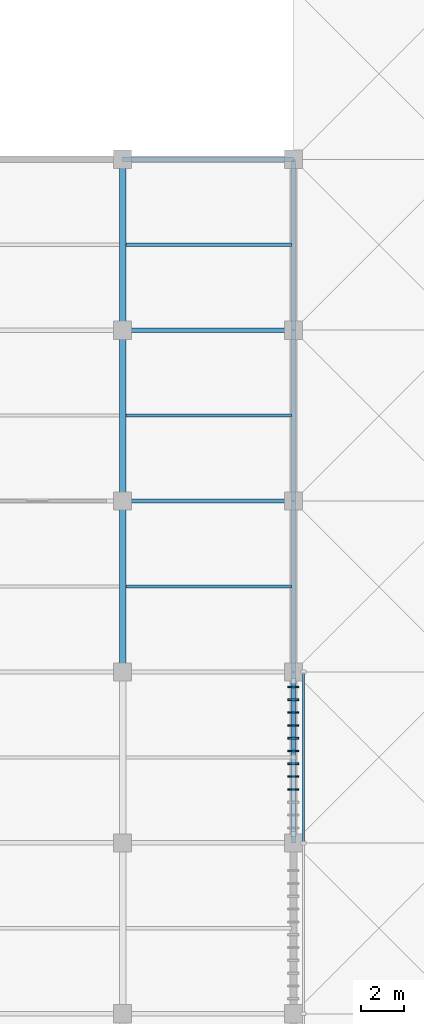
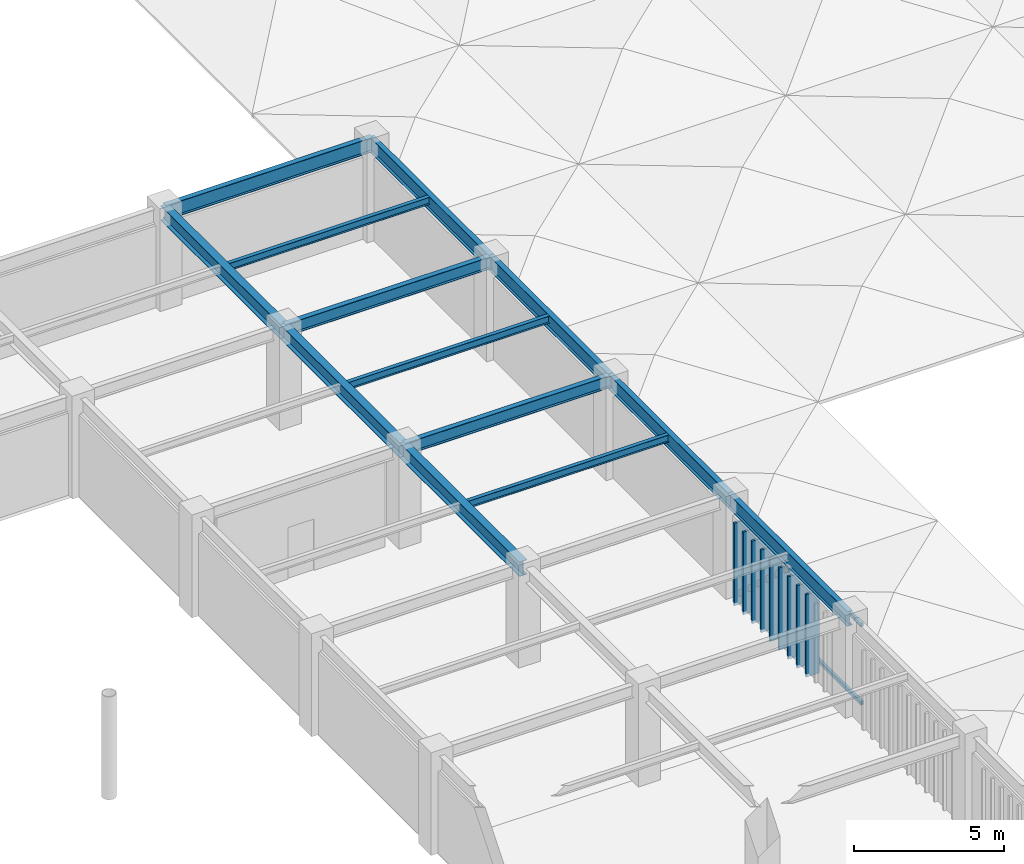
# One storey, part 38 of 78: 13 beams, 12 members.
"""IFC4 building model written with IfcOpenShell, lengths in metres."""

from ifc_helpers import new_model, si_unit, direction, frame, origin, origin_2d, place, context, subcontext, project, spatial, rectangle, hollow_rectangle, i_section, extrude, material, material_profile, profile_set, type_object, element, save


model = new_model("IFC4")

# Units and contexts
model_context = context("Model", 3, precision=1e-05, world=origin(), true_north=direction((0.0, 1.0)))
body_context = subcontext(model_context, "Body", "Model", "MODEL_VIEW")
ifc_project = project(units=[si_unit("LENGTHUNIT", "METRE"), si_unit("AREAUNIT", "SQUARE_METRE"), si_unit("VOLUMEUNIT", "CUBIC_METRE"), si_unit("PLANEANGLEUNIT", "RADIAN"), si_unit("MASSUNIT", "GRAM", prefix="KILO")], contexts=[model_context])

# Site, building, storey
site_placement = place(None, origin())
site = spatial("IfcSite", under=ifc_project, at=site_placement, CompositionType="ELEMENT")
building_placement = place(site_placement, origin())
building = spatial("IfcBuilding", under=site, at=building_placement, Name="Haebicheon Civic Stadium", CompositionType="ELEMENT")
storey_placement = place(building_placement, frame((0.0, 0.0, 18.60009765625)))
storey = spatial("IfcBuildingStorey", under=building, at=storey_placement, Name="L05", CompositionType="ELEMENT", Elevation=18.60009765625)

# Beams
ifc_material_1 = material(Name="Steel SM355 (S355)", Category="steel")
ifc_material_profile_1 = material_profile(ifc_material_1, i_section(OverallWidth=0.199951171875, OverallDepth=0.5, WebThickness=0.010009765625, FlangeThickness=0.01611328125, at=origin_2d()), Name="H-500x200x10x16")
ifc_profile_set_1 = profile_set([ifc_material_profile_1], Name="Steel SM355 (S355)")
beam_type_1 = type_object("IfcBeamType", Name="BM-ST-H500", PredefinedType="BEAM", material=ifc_profile_set_1)
for number, where, z_axis, x_axis, name in (
    (1, (152.0, 144.0, 3.72998046875), (1.0, 0.0, 0.0), (0.0, 1.0, 0.0), "L05 beam U/20-21"),
    (2, (152.0, 152.0, 3.72998046875), (1.0, 0.0, 0.0), (0.0, 1.0, 0.0), "L05 beam V/20-21"),
):
    element("IfcBeam", number, at=place(storey_placement, frame(where, z_axis=z_axis, x_axis=x_axis)), inside=storey, type_object=beam_type_1, material=ifc_profile_set_1, Name=name, PredefinedType="BEAM", context=body_context, shape_type="SweptSolid", body=[
        extrude(i_section(OverallWidth=0.199951171875, OverallDepth=0.5, WebThickness=0.010009765625, FlangeThickness=0.01611328125, at=origin_2d()), origin(), (0.0, 0.0, 1.0), 8.0),
    ])
ifc_material_2 = material(Name="Steel SM355 (S355)", Category="steel")
ifc_material_profile_2 = material_profile(ifc_material_2, i_section(OverallWidth=0.300048828125, OverallDepth=0.60009765625, WebThickness=0.011962890625, FlangeThickness=0.02001953125, at=origin_2d()), Name="H-600x300x12x20")
ifc_profile_set_2 = profile_set([ifc_material_profile_2], Name="Steel SM355 (S355)")
beam_type_2 = type_object("IfcBeamType", Name="BM-ST-H600A", PredefinedType="BEAM", material=ifc_profile_set_2)
for number, where, z_axis, x_axis, name in (
    (3, (152.0, 136.0, 3.679931640625), (0.0, 1.0, 0.0), (-1.0, 0.0, 0.0), "L05 girder 20/T-U"),
    (4, (152.0, 144.0, 3.679931640625), (0.0, 1.0, 0.0), (-1.0, 0.0, 0.0), "L05 girder 20/U-V"),
    (5, (152.0, 152.0, 3.679931640625), (0.0, 1.0, 0.0), (-1.0, 0.0, 0.0), "L05 girder 20/V-W"),
):
    element("IfcBeam", number, at=place(storey_placement, frame(where, z_axis=z_axis, x_axis=x_axis)), inside=storey, type_object=beam_type_2, material=ifc_profile_set_2, Name=name, PredefinedType="BEAM", context=body_context, shape_type="SweptSolid", body=[
        extrude(i_section(OverallWidth=0.300048828125, OverallDepth=0.60009765625, WebThickness=0.011962890625, FlangeThickness=0.02001953125, at=origin_2d()), origin(), (0.0, 0.0, 1.0), 8.0),
    ])

# Member
ifc_material_3 = material(Name="Steel SM355 (S355)", Category="steel")
ifc_material_profile_3 = material_profile(ifc_material_3, hollow_rectangle(XDim=0.199951171875, YDim=0.199951171875, WallThickness=0.009033203125, at=origin_2d()), Name="RHS-200x200x9.0")
ifc_profile_set_3 = profile_set([ifc_material_profile_3], Name="Steel SM355 (S355)")
member_type_1 = type_object("IfcMemberType", Name="BRC-RHS200", PredefinedType="BRACE", material=ifc_profile_set_3)
member_placement = place(storey_placement, frame((160.0, 135.580078125, 0.039794921875), z_axis=(0.0, -0.735278088986, 0.677765543427), x_axis=(1.0, 0.0, 0.0)))
element("IfcMember", 6, at=member_placement, inside=storey, type_object=member_type_1, material=ifc_profile_set_3, Name="BR200 chevron brace L05 19-16 B", PredefinedType="BRACE", context=body_context, shape_type="SweptSolid", body=[
    extrude(hollow_rectangle(XDim=0.199951171875, YDim=0.199951171875, WallThickness=0.009033203125, at=origin_2d()), origin(), (0.0, 0.0, 1.0), 4.868896484375),
])

# Beams
ifc_material_4 = material(Name="Steel SM355 (S355)", Category="steel")
ifc_material_profile_4 = material_profile(ifc_material_4, i_section(OverallWidth=0.14990234375, OverallDepth=0.300048828125, WebThickness=0.006591796875, FlangeThickness=0.009033203125, at=origin_2d()), Name="H-300x150x6.5x9")
ifc_profile_set_4 = profile_set([ifc_material_profile_4], Name="Steel SM355 (S355)")
beam_type_3 = type_object("IfcBeamType", Name="JST-ST-H300", PredefinedType="JOIST", material=ifc_profile_set_4)
for number, where, z_axis, x_axis, name in (
    (7, (152.14990234375, 140.0, 3.829833984375), (1.0, 0.0, 0.0), (0.0, 1.0, 0.0), "L05 secondary joist 19-17"),
    (8, (152.14990234375, 148.0, 3.829833984375), (1.0, 0.0, 0.0), (0.0, 1.0, 0.0), "L05 secondary joist 19-18"),
    (9, (152.14990234375, 156.0, 3.829833984375), (1.0, 0.0, 0.0), (0.0, 1.0, 0.0), "L05 secondary joist 19-19"),
):
    element("IfcBeam", number, at=place(storey_placement, frame(where, z_axis=z_axis, x_axis=x_axis)), inside=storey, type_object=beam_type_3, material=ifc_profile_set_4, Name=name, PredefinedType="JOIST", context=body_context, shape_type="SweptSolid", body=[
        extrude(i_section(OverallWidth=0.14990234375, OverallDepth=0.300048828125, WebThickness=0.006591796875, FlangeThickness=0.009033203125, at=origin_2d()), origin(), (0.0, 0.0, 1.0), 7.75),
    ])

# Members
ifc_material_5 = material(Name="Acetylated timber GL28h", Category="wood")
ifc_material_profile_5 = material_profile(ifc_material_5, rectangle(XDim=0.080078125, YDim=0.52001953125, at=origin_2d()), Name="TMB-LOUV-80x520")
ifc_profile_set_5 = profile_set([ifc_material_profile_5], Name="Acetylated timber GL28h")
member_type_2 = type_object("IfcMemberType", Name="LVR-TIM-520x80", PredefinedType="PLATE", material=ifc_profile_set_5)
for number, where, z_axis, x_axis, name in (
    (10, (159.97998046875, 130.5, -0.1201171875), (0.0, 0.0, 1.0), (0.0, 1.0, 0.0), "SCR-EAST L05 acetylated timber storm louvre fin 11.4"),
    (11, (159.97998046875, 131.10009765625, -0.1201171875), (0.0, 0.0, 1.0), (0.0, 1.0, 0.0), "SCR-EAST L05 acetylated timber storm louvre fin 11.5"),
    (12, (159.97998046875, 131.699951171875, -0.1201171875), (0.0, 0.0, 1.0), (0.0, 1.0, 0.0), "SCR-EAST L05 acetylated timber storm louvre fin 11.6"),
    (13, (159.97998046875, 132.300048828125, -0.1201171875), (0.0, 0.0, 1.0), (0.0, 1.0, 0.0), "SCR-EAST L05 acetylated timber storm louvre fin 11.7"),
    (14, (159.97998046875, 132.89990234375, -0.1201171875), (0.0, 0.0, 1.0), (0.0, 1.0, 0.0), "SCR-EAST L05 acetylated timber storm louvre fin 11.8"),
    (15, (159.97998046875, 133.5, -0.1201171875), (0.0, 0.0, 1.0), (0.0, 1.0, 0.0), "SCR-EAST L05 acetylated timber storm louvre fin 11.9"),
    (16, (159.97998046875, 134.10009765625, -0.1201171875), (0.0, 0.0, 1.0), (0.0, 1.0, 0.0), "SCR-EAST L05 acetylated timber storm louvre fin 11.10"),
    (17, (159.97998046875, 134.699951171875, -0.1201171875), (0.0, 0.0, 1.0), (0.0, 1.0, 0.0), "SCR-EAST L05 acetylated timber storm louvre fin 11.11"),
    (18, (159.97998046875, 135.300048828125, -0.1201171875), (0.0, 0.0, 1.0), (0.0, 1.0, 0.0), "SCR-EAST L05 acetylated timber storm louvre fin 11.12"),
):
    element("IfcMember", number, at=place(storey_placement, frame(where, z_axis=z_axis, x_axis=x_axis)), inside=storey, type_object=member_type_2, material=ifc_profile_set_5, Name=name, PredefinedType="PLATE", context=body_context, shape_type="SweptSolid", body=[
        extrude(rectangle(XDim=0.080078125, YDim=0.52001953125, at=origin_2d()), origin(), (0.0, 0.0, 1.0), 3.3701171875),
    ])

# Beams
ifc_material_6 = material(Name="Steel SM355 (S355)", Category="steel")
ifc_material_profile_6 = material_profile(ifc_material_6, i_section(OverallWidth=0.199951171875, OverallDepth=0.60009765625, WebThickness=0.010986328125, FlangeThickness=0.01708984375, at=origin_2d()), Name="H-600x200x11x17")
ifc_profile_set_6 = profile_set([ifc_material_profile_6], Name="Steel SM355 (S355)")
beam_type_4 = type_object("IfcBeamType", Name="SPD-ST-H600B", PredefinedType="SPANDREL", material=ifc_profile_set_6)
for number, where, z_axis, x_axis, name in (
    (19, (160.0, 128.0, 3.679931640625), (0.0, 1.0, 0.0), (-1.0, 0.0, 0.0), "L05 girder 21/S-T"),
    (20, (160.0, 136.0, 3.679931640625), (0.0, 1.0, 0.0), (-1.0, 0.0, 0.0), "L05 girder 21/T-U"),
    (21, (160.0, 144.0, 3.679931640625), (0.0, 1.0, 0.0), (-1.0, 0.0, 0.0), "L05 girder 21/U-V"),
    (22, (160.0, 152.0, 3.679931640625), (0.0, 1.0, 0.0), (-1.0, 0.0, 0.0), "L05 girder 21/V-W"),
    (23, (152.0, 160.0, 3.679931640625), (1.0, 0.0, 0.0), (0.0, 1.0, 0.0), "L05 beam W/20-21"),
):
    element("IfcBeam", number, at=place(storey_placement, frame(where, z_axis=z_axis, x_axis=x_axis)), inside=storey, type_object=beam_type_4, material=ifc_profile_set_6, Name=name, PredefinedType="SPANDREL", context=body_context, shape_type="SweptSolid", body=[
        extrude(i_section(OverallWidth=0.199951171875, OverallDepth=0.60009765625, WebThickness=0.010986328125, FlangeThickness=0.01708984375, at=origin_2d()), origin(), (0.0, 0.0, 1.0), 8.0),
    ])

# Members
ifc_material_7 = material(Name="Steel SM355 (S355)", Category="steel")
ifc_material_profile_7 = material_profile(ifc_material_7, hollow_rectangle(XDim=0.10009765625, YDim=0.14990234375, WallThickness=0.006103515625, at=origin_2d()), Name="RHS-150x100x6.0")
ifc_profile_set_7 = profile_set([ifc_material_profile_7], Name="Steel SM355 (S355)")
member_type_3 = type_object("IfcMemberType", Name="SUB-RHS150", PredefinedType="STRINGER", material=ifc_profile_set_7)
for number, where, z_axis, x_axis, name in (
    (24, (160.465087890625, 128.0, 0.059814453125), (0.0, 1.0, 0.0), (-1.0, 0.0, 0.0), "SCR-EAST L05 storm-louvre bottom carrier rail 11"),
    (25, (160.465087890625, 128.0, 3.25), (0.0, 1.0, 0.0), (-1.0, 0.0, 0.0), "SCR-EAST L05 storm-louvre top carrier rail 11"),
):
    element("IfcMember", number, at=place(storey_placement, frame(where, z_axis=z_axis, x_axis=x_axis)), inside=storey, type_object=member_type_3, material=ifc_profile_set_7, Name=name, PredefinedType="STRINGER", context=body_context, shape_type="SweptSolid", body=[
        extrude(hollow_rectangle(XDim=0.10009765625, YDim=0.14990234375, WallThickness=0.006103515625, at=origin_2d()), origin(), (0.0, 0.0, 1.0), 8.0),
    ])

save(model, "model.ifc")
